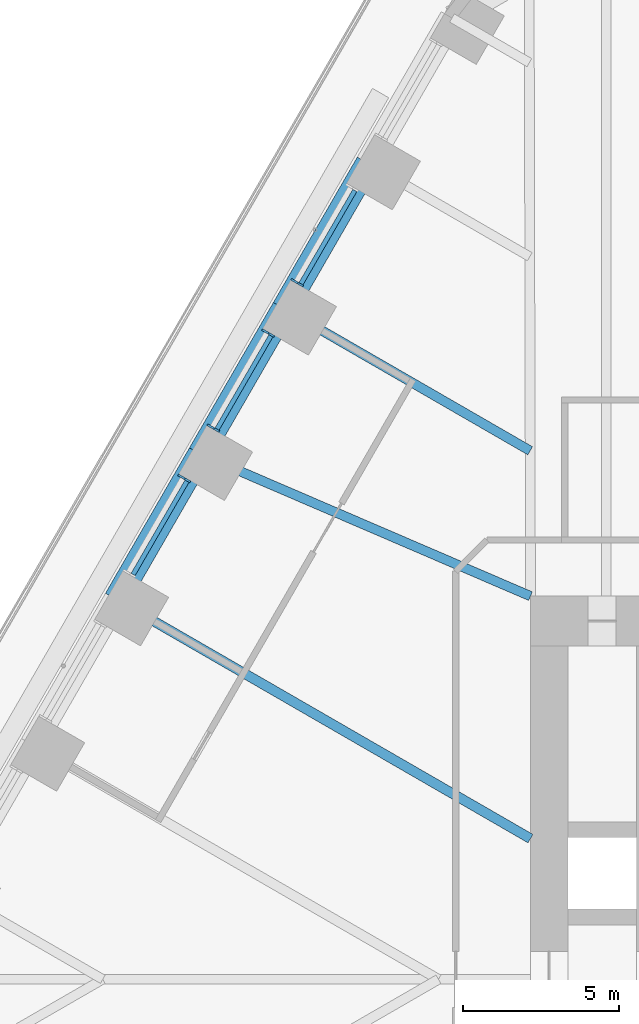
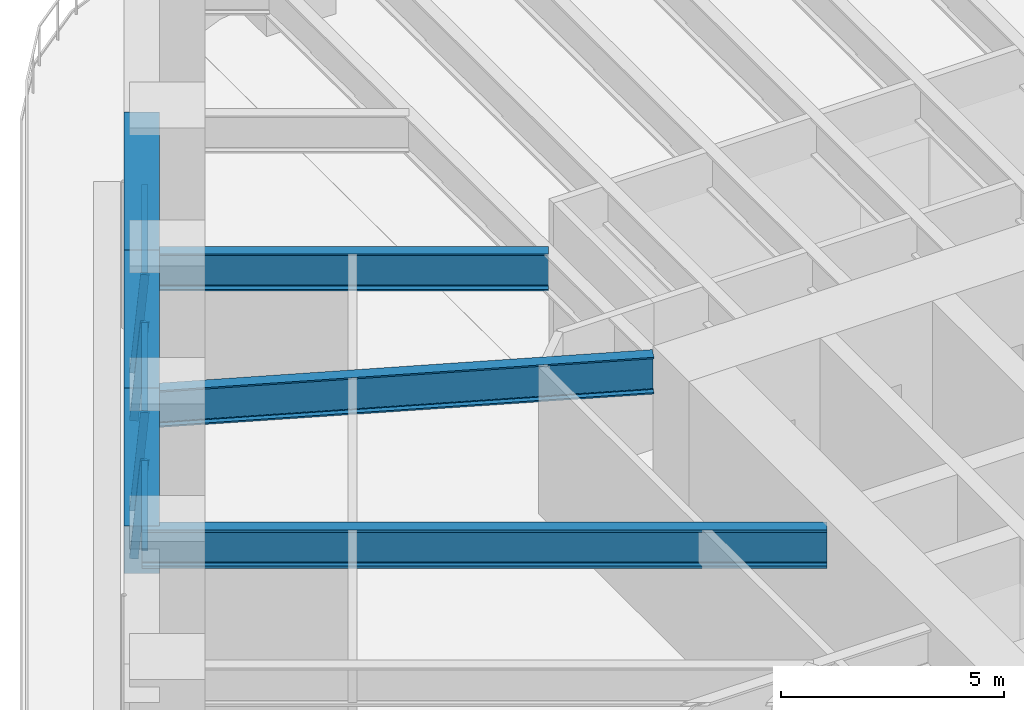
# One storey, part 8 of 24: 7 members, 6 beams, 3 elements without a shape of their own.
"""IFC4 building model written with IfcOpenShell, lengths in metres."""

from ifc_helpers import new_model, si_unit, direction, frame, origin, origin_2d, place, context, subcontext, project, spatial, rectangle, i_section, extrude, material, material_profile, profile_set, type_object, element, aggregate, save


model = new_model("IFC4")

# Units and contexts
model_context = context("Model", 3, precision=1e-05, world=origin(), true_north=direction((0.0, 1.0)))
body_context = subcontext(model_context, "Body", "Model", "MODEL_VIEW")
ifc_project = project(units=[si_unit("LENGTHUNIT", "METRE"), si_unit("AREAUNIT", "SQUARE_METRE"), si_unit("VOLUMEUNIT", "CUBIC_METRE"), si_unit("PLANEANGLEUNIT", "RADIAN"), si_unit("MASSUNIT", "GRAM", prefix="KILO")], contexts=[model_context])

# Site, building, storey
site_placement = place(None, origin())
site = spatial("IfcSite", under=ifc_project, at=site_placement, CompositionType="ELEMENT")
building_placement = place(site_placement, origin())
building = spatial("IfcBuilding", under=site, at=building_placement, Name="Tarfa Lantern Tower", CompositionType="ELEMENT")
storey_placement = place(building_placement, frame((0.0, 0.0, 94.89990234375)))
storey = spatial("IfcBuildingStorey", under=building, at=storey_placement, Name="L21", CompositionType="ELEMENT", Elevation=94.89990234375)

# Curtain wall, member
ifc_material_1 = material(Name="Aluminium framed curtain wall", Category="aluminium")
curtain_wall_type = type_object("IfcCurtainWallType", Name="CW1 CANTED GLAZING LOW ZONE 2700", PredefinedType="USERDEFINED", material=ifc_material_1)
curtain_wall_1_placement = place(storey_placement, origin())
curtain_wall_1 = element("IfcCurtainWall", 1, at=curtain_wall_1_placement, inside=storey, type_object=curtain_wall_type, Name="CW1 NW L21", ObjectType="CURTAIN WALL", PredefinedType="USERDEFINED")
ifc_material_2 = material(Name="Aluminium mullion", Category="aluminium")
ifc_material_profile_1 = material_profile(ifc_material_2, rectangle(XDim=0.06494140625, YDim=0.199951171875, at=origin_2d()), Name="AL MULLION 65x200")
ifc_profile_set_1 = profile_set([ifc_material_profile_1], Name="Aluminium mullion")
member_type_1 = type_object("IfcMemberType", Name="CWM1 MULLION 65x200", PredefinedType="MULLION", material=ifc_profile_set_1)
member_1_placement = place(storey_placement, frame((-26.19775390625, 22.42431640625, 0.0), z_axis=(0.079857261722, -0.046095736191, 0.995739926314), x_axis=(0.499919672301, 0.866071776036, 0.0)))
member_1 = element("IfcMember", 2, at=member_1_placement, type_object=member_type_1, Name="CW1 mullion 2", PredefinedType="MULLION", context=body_context, shape_type="SweptSolid", body=[
    extrude(rectangle(XDim=0.06494140625, YDim=0.199951171875, at=origin_2d()), origin(), (0.0, 0.0, 1.0), 2.711669921875),
])

# Curtain wall, members
curtain_wall_2_placement = place(storey_placement, origin())
curtain_wall_2 = element("IfcCurtainWall", 3, at=curtain_wall_2_placement, inside=storey, type_object=curtain_wall_type, Name="CW1 NW L21", ObjectType="CURTAIN WALL", PredefinedType="USERDEFINED")
member_2_placement = place(storey_placement, frame((-27.130126953125, 20.80908203125, 0.0), z_axis=(0.079767804165, -0.046096067418, 0.995747081335), x_axis=(0.500342721131, 0.865827443207, 0.0)))
member_2 = element("IfcMember", 4, at=member_2_placement, type_object=member_type_1, Name="CW1 mullion 1", PredefinedType="MULLION", context=body_context, shape_type="SweptSolid", body=[
    extrude(rectangle(XDim=0.06494140625, YDim=0.199951171875, at=origin_2d()), origin(), (0.0, 0.0, 1.0), 2.711669921875),
])
member_3_placement = place(storey_placement, frame((-28.89208984375, 17.757568359375, 0.0), z_axis=(0.079857261722, -0.046095736191, 0.995739926314), x_axis=(0.499919672301, 0.866071776036, 0.0)))
member_3 = element("IfcMember", 5, at=member_3_placement, type_object=member_type_1, Name="CW1 mullion 2", PredefinedType="MULLION", context=body_context, shape_type="SweptSolid", body=[
    extrude(rectangle(XDim=0.06494140625, YDim=0.199951171875, at=origin_2d()), origin(), (0.0, 0.0, 1.0), 2.711669921875),
])

# Curtain wall, member
curtain_wall_3_placement = place(storey_placement, origin())
curtain_wall_3 = element("IfcCurtainWall", 6, at=curtain_wall_3_placement, inside=storey, type_object=curtain_wall_type, Name="CW1 NW L21", ObjectType="CURTAIN WALL", PredefinedType="USERDEFINED")
member_4_placement = place(storey_placement, frame((-29.824462890625, 16.142333984375, 0.0), z_axis=(0.079857261722, -0.046095736191, 0.995739926314), x_axis=(0.499919672301, 0.866071776036, 0.0)))
member_4 = element("IfcMember", 7, at=member_4_placement, type_object=member_type_1, Name="CW1 mullion 1", PredefinedType="MULLION", context=body_context, shape_type="SweptSolid", body=[
    extrude(rectangle(XDim=0.06494140625, YDim=0.199951171875, at=origin_2d()), origin(), (0.0, 0.0, 1.0), 2.711669921875),
])

# Member
ifc_material_3 = material(Name="Aluminium transom", Category="aluminium")
ifc_material_profile_2 = material_profile(ifc_material_3, rectangle(XDim=0.14990234375, YDim=0.06494140625, at=origin_2d()), Name="AL TRANSOM 150x65")
ifc_profile_set_2 = profile_set([ifc_material_profile_2], Name="Aluminium transom")
member_type_2 = type_object("IfcMemberType", Name="CWT1 TRANSOM 150x65", PredefinedType="USERDEFINED", material=ifc_profile_set_2)
member_5_placement = place(storey_placement, frame((-24.23828125, 25.32421875, 2.66748046875), z_axis=(-0.49997297598, -0.866041005548, 0.0), x_axis=(0.866041005548, -0.49997297598, 0.0)))
member_5 = element("IfcMember", 8, at=member_5_placement, type_object=member_type_2, Name="CW1 transom 1.2", ObjectType="TRANSOM", PredefinedType="USERDEFINED", context=body_context, shape_type="SweptSolid", body=[
    extrude(rectangle(XDim=0.14990234375, YDim=0.06494140625, at=origin_2d()), origin(), (0.0, 0.0, 1.0), 3.458740234375),
])

aggregate(curtain_wall_1, [member_1, member_5])

member_6_placement = place(storey_placement, frame((-26.9326171875, 20.657470703125, 2.66748046875), z_axis=(-0.49997297598, -0.866041005548, 0.0), x_axis=(0.866041005548, -0.49997297598, 0.0)))
member_6 = element("IfcMember", 9, at=member_6_placement, type_object=member_type_2, Name="CW1 transom 1.2", ObjectType="TRANSOM", PredefinedType="USERDEFINED", context=body_context, shape_type="SweptSolid", body=[
    extrude(rectangle(XDim=0.14990234375, YDim=0.06494140625, at=origin_2d()), origin(), (0.0, 0.0, 1.0), 3.458740234375),
])

aggregate(curtain_wall_2, [member_2, member_3, member_6])

member_7_placement = place(storey_placement, frame((-29.626953125, 15.99072265625, 2.66748046875), z_axis=(-0.500003541824, -0.866023358902, 0.0), x_axis=(0.866023358902, -0.500003541824, 0.0)))
member_7 = element("IfcMember", 10, at=member_7_placement, type_object=member_type_2, Name="CW1 transom 1.2", ObjectType="TRANSOM", PredefinedType="USERDEFINED", context=body_context, shape_type="SweptSolid", body=[
    extrude(rectangle(XDim=0.14990234375, YDim=0.06494140625, at=origin_2d()), origin(), (0.0, 0.0, 1.0), 3.45849609375),
])

aggregate(curtain_wall_3, [member_4, member_7])

# Beams
ifc_material_4 = material(Name="Concrete C80/95", Category="concrete")
ifc_material_profile_3 = material_profile(ifc_material_4, rectangle(XDim=0.800048828125, YDim=1.300048828125, at=origin_2d()), Name="RC 800x1300")
ifc_profile_set_3 = profile_set([ifc_material_profile_3], Name="Concrete C80/95")
beam_type_1 = type_object("IfcBeamType", Name="EB1 RC 800x1300", PredefinedType="SPANDREL", material=ifc_profile_set_3)
beam_1_placement = place(storey_placement, frame((-23.813720703125, 26.193359375, 3.35009765625), z_axis=(-0.499998287579, -0.866026392449, 0.0), x_axis=(0.866026392449, -0.499998287579, 0.0)))
element("IfcBeam", 11, at=beam_1_placement, inside=storey, type_object=beam_type_1, Name="Edge beam NW1", PredefinedType="SPANDREL", context=body_context, shape_type="SweptSolid", body=[
    extrude(rectangle(XDim=0.800048828125, YDim=1.300048828125, at=origin_2d()), origin(), (0.0, 0.0, 1.0), 5.388671875),
])
beam_2_placement = place(storey_placement, frame((-26.508056640625, 21.526611328125, 3.35009765625), z_axis=(-0.500017906299, -0.866015065331, 0.0), x_axis=(0.866015065331, -0.500017906299, 0.0)))
element("IfcBeam", 12, at=beam_2_placement, inside=storey, type_object=beam_type_1, Name="Edge beam NW2", PredefinedType="SPANDREL", context=body_context, shape_type="SweptSolid", body=[
    extrude(rectangle(XDim=0.800048828125, YDim=1.300048828125, at=origin_2d()), origin(), (0.0, 0.0, 1.0), 5.388427734375),
])
beam_3_placement = place(storey_placement, frame((-29.202392578125, 16.860107421875, 3.35009765625), z_axis=(-0.499998287579, -0.866026392449, 0.0), x_axis=(0.866026392449, -0.499998287579, 0.0)))
element("IfcBeam", 13, at=beam_3_placement, inside=storey, type_object=beam_type_1, Name="Edge beam NW3", PredefinedType="SPANDREL", context=body_context, shape_type="SweptSolid", body=[
    extrude(rectangle(XDim=0.800048828125, YDim=1.300048828125, at=origin_2d()), origin(), (0.0, 0.0, 1.0), 5.388671875),
])
ifc_material_5 = material(Name="Steel S460M", Category="steel")
ifc_material_profile_4 = material_profile(ifc_material_5, i_section(OverallWidth=0.302001953125, OverallDepth=1.008056640625, WebThickness=0.02099609375, FlangeThickness=0.0400390625, FilletRadius=0.030029296875, at=origin_2d()), Name="UB1016x305x349")
ifc_profile_set_4 = profile_set([ifc_material_profile_4], Name="Steel S460M")
beam_type_2 = type_object("IfcBeamType", Name="UB1016x305x349", PredefinedType="BEAM", material=ifc_profile_set_4)
beam_4_placement = place(storey_placement, frame((-26.508056640625, 21.526611328125, 3.49609375), z_axis=(0.866035355799, -0.49998276221, 0.0), x_axis=(0.49998276221, 0.866035355799, 0.0)))
element("IfcBeam", 14, at=beam_4_placement, inside=storey, type_object=beam_type_2, Name="Floor beam NW2", PredefinedType="BEAM", context=body_context, shape_type="SweptSolid", body=[
    extrude(i_section(OverallWidth=0.302001953125, OverallDepth=1.008056640625, WebThickness=0.02099609375, FlangeThickness=0.0400390625, FilletRadius=0.030029296875, at=origin_2d()), origin(), (0.0, 0.0, 1.0), 9.119873046875),
])
beam_5_placement = place(storey_placement, frame((-29.202392578125, 16.860107421875, 3.49609375), z_axis=(0.918635483867, -0.395106122175, 0.0), x_axis=(0.395106122175, 0.918635483867, 0.0)))
element("IfcBeam", 15, at=beam_5_placement, inside=storey, type_object=beam_type_2, Name="Floor beam NW3", PredefinedType="BEAM", context=body_context, shape_type="SweptSolid", body=[
    extrude(i_section(OverallWidth=0.302001953125, OverallDepth=1.008056640625, WebThickness=0.02099609375, FlangeThickness=0.0400390625, FilletRadius=0.030029296875, at=origin_2d()), origin(), (0.0, 0.0, 1.0), 11.541259765625),
])
ifc_material_profile_5 = material_profile(ifc_material_5, i_section(OverallWidth=0.314208984375, OverallDepth=1.055908203125, WebThickness=0.035888671875, FlangeThickness=0.06396484375, FilletRadius=0.030029296875, at=origin_2d()), Name="UB1016x305x584")
ifc_profile_set_5 = profile_set([ifc_material_profile_5], Name="Steel S460M")
beam_type_3 = type_object("IfcBeamType", Name="UB1016x305x584", PredefinedType="BEAM", material=ifc_profile_set_5)
beam_6_placement = place(storey_placement, frame((-31.896728515625, 12.193359375, 3.47216796875), z_axis=(0.866026971665, -0.499997284341, 0.0), x_axis=(0.499997284341, 0.866026971665, 0.0)))
element("IfcBeam", 16, at=beam_6_placement, inside=storey, type_object=beam_type_3, Name="Floor beam NW4", PredefinedType="BEAM", context=body_context, shape_type="SweptSolid", body=[
    extrude(i_section(OverallWidth=0.314208984375, OverallDepth=1.055908203125, WebThickness=0.035888671875, FlangeThickness=0.06396484375, FilletRadius=0.030029296875, at=origin_2d()), origin(), (0.0, 0.0, 1.0), 15.353515625),
])

save(model, "model.ifc")
